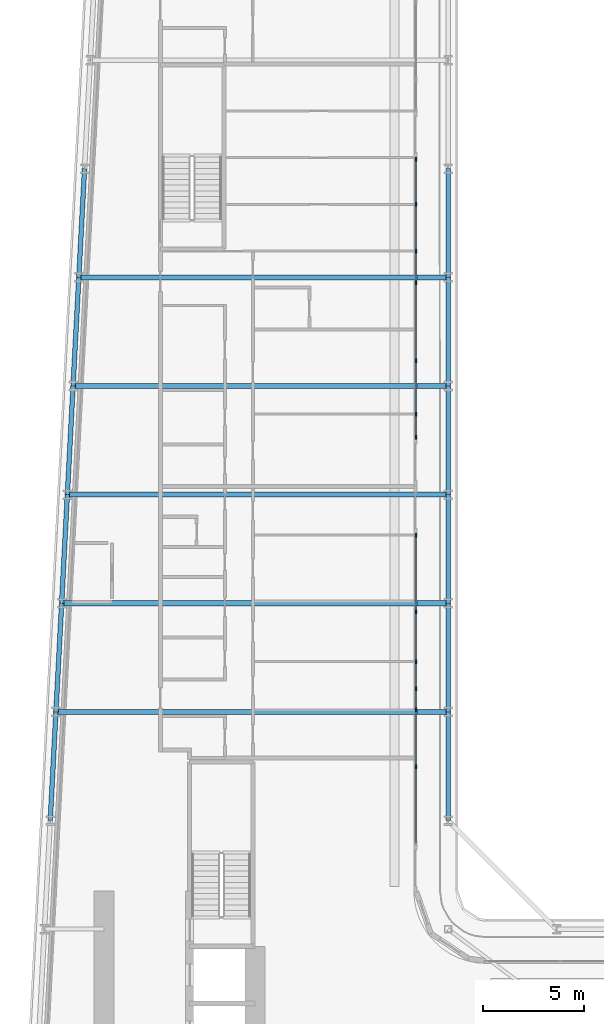
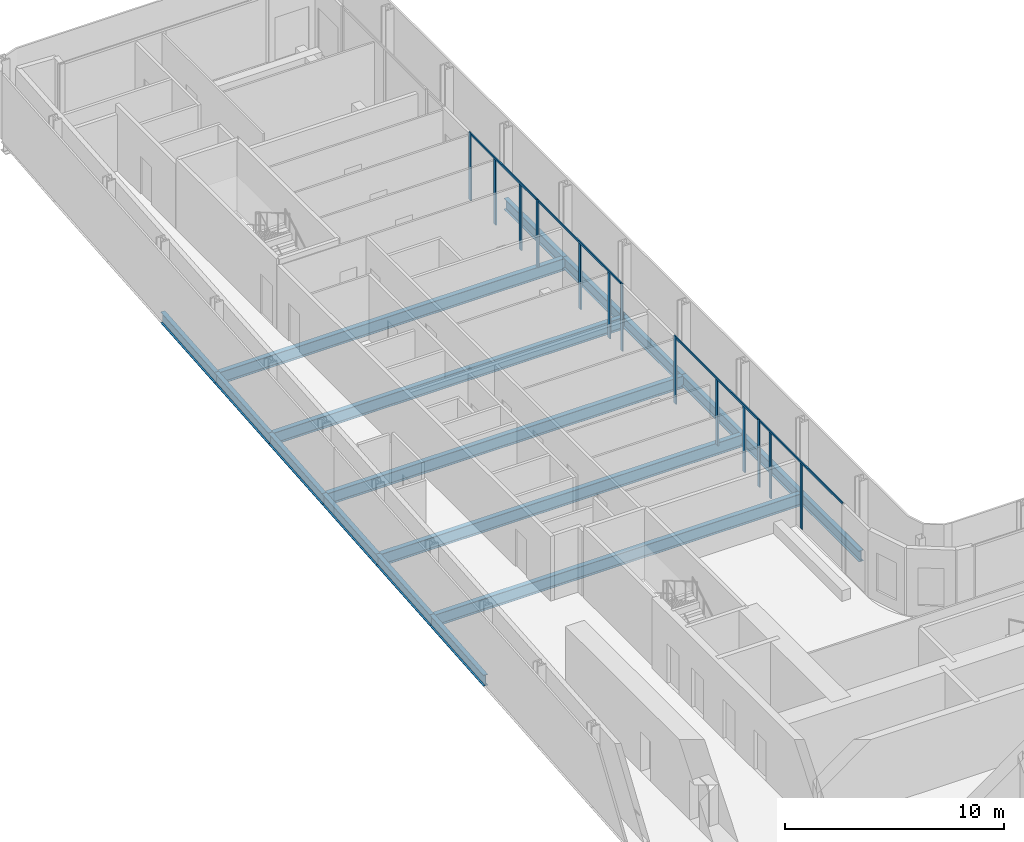
# One storey, part 7 of 25: 17 beams, 17 members, 4 elements without a shape of their own.
"""IFC4 building model written with IfcOpenShell, lengths in metres."""

from ifc_helpers import new_model, si_unit, direction, frame, origin, origin_2d, place, context, subcontext, project, spatial, rectangle, i_section, extrude, material, layer, layer_set, material_profile, profile_set, type_object, element, aggregate, save


model = new_model("IFC4")

# Units and contexts
model_context = context("Model", 3, precision=1e-05, world=origin(), true_north=direction((0.0, 1.0)))
body_context = subcontext(model_context, "Body", "Model", "MODEL_VIEW")
ifc_project = project(units=[si_unit("LENGTHUNIT", "METRE"), si_unit("AREAUNIT", "SQUARE_METRE"), si_unit("VOLUMEUNIT", "CUBIC_METRE"), si_unit("PLANEANGLEUNIT", "RADIAN"), si_unit("MASSUNIT", "GRAM", prefix="KILO")], contexts=[model_context])

# Site, building, storey
site_placement = place(None, origin())
site = spatial("IfcSite", under=ifc_project, at=site_placement, CompositionType="ELEMENT")
building_placement = place(site_placement, origin())
building = spatial("IfcBuilding", under=site, at=building_placement, Name="Kheshtan School and Residences Tower", CompositionType="ELEMENT")
storey_placement = place(building_placement, frame((0.0, 0.0, 34.39990234375)))
storey = spatial("IfcBuildingStorey", under=building, at=storey_placement, Name="L07", CompositionType="ELEMENT", Elevation=34.39990234375)

# Beams
ifc_material_1 = material(Name="Steel ASTM A992 Grade 50", Category="steel")
ifc_material_profile_1 = material_profile(ifc_material_1, i_section(OverallWidth=0.2529296875, OverallDepth=0.677978515625, WebThickness=0.01171875, FlangeThickness=0.016357421875, FilletRadius=0.0146484375, at=origin_2d()), Name="W690x125")
ifc_profile_set_1 = profile_set([ifc_material_profile_1], Name="Steel ASTM A992 Grade 50")
beam_type_1 = type_object("IfcBeamType", Name="Beam FB6 W690x125 ASTM A992 Grade 50", PredefinedType="BEAM", material=ifc_profile_set_1)
beam_1_placement = place(storey_placement, frame((47.60009765625, 72.60009765625, -0.489013671875), z_axis=(-1.0, 0.0, 0.0), x_axis=(0.0, -1.0, 0.0)))
element("IfcBeam", 1, at=beam_1_placement, inside=storey, type_object=beam_type_1, Name="Floor beam C087", PredefinedType="BEAM", context=body_context, shape_type="SweptSolid", body=[
    extrude(i_section(OverallWidth=0.2529296875, OverallDepth=0.677978515625, WebThickness=0.01171875, FlangeThickness=0.016357421875, FilletRadius=0.0146484375, at=origin_2d()), origin(), (0.0, 0.0, 1.0), 18.64208984375),
])
beam_2_placement = place(storey_placement, frame((47.60009765625, 61.800048828125, -0.489013671875), z_axis=(-1.0, 0.0, 0.0), x_axis=(0.0, -1.0, 0.0)))
element("IfcBeam", 2, at=beam_2_placement, inside=storey, type_object=beam_type_1, Name="Floor beam C083", PredefinedType="BEAM", context=body_context, shape_type="SweptSolid", body=[
    extrude(i_section(OverallWidth=0.2529296875, OverallDepth=0.677978515625, WebThickness=0.01171875, FlangeThickness=0.016357421875, FilletRadius=0.0146484375, at=origin_2d()), origin(), (0.0, 0.0, 1.0), 19.210205078125),
])
beam_3_placement = place(storey_placement, frame((28.10595703125, 56.39990234375, -0.489013671875), z_axis=(1.0, 0.0, 0.0), x_axis=(0.0, 1.0, 0.0)))
element("IfcBeam", 3, at=beam_3_placement, inside=storey, type_object=beam_type_1, Name="Floor beam C080", PredefinedType="BEAM", context=body_context, shape_type="SweptSolid", body=[
    extrude(i_section(OverallWidth=0.2529296875, OverallDepth=0.677978515625, WebThickness=0.01171875, FlangeThickness=0.016357421875, FilletRadius=0.0146484375, at=origin_2d()), origin(), (0.0, 0.0, 1.0), 19.494140625),
])
beam_4_placement = place(storey_placement, frame((28.674072265625, 67.199951171875, -0.489013671875), z_axis=(1.0, 0.0, 0.0), x_axis=(0.0, 1.0, 0.0)))
element("IfcBeam", 4, at=beam_4_placement, inside=storey, type_object=beam_type_1, Name="Floor beam C084", PredefinedType="BEAM", context=body_context, shape_type="SweptSolid", body=[
    extrude(i_section(OverallWidth=0.2529296875, OverallDepth=0.677978515625, WebThickness=0.01171875, FlangeThickness=0.016357421875, FilletRadius=0.0146484375, at=origin_2d()), origin(), (0.0, 0.0, 1.0), 18.926025390625),
])
beam_5_placement = place(storey_placement, frame((29.242919921875, 78.0, -0.489013671875), z_axis=(1.0, 0.0, 0.0), x_axis=(0.0, 1.0, 0.0)))
element("IfcBeam", 5, at=beam_5_placement, inside=storey, type_object=beam_type_1, Name="Floor beam C088", PredefinedType="BEAM", context=body_context, shape_type="SweptSolid", body=[
    extrude(i_section(OverallWidth=0.2529296875, OverallDepth=0.677978515625, WebThickness=0.01171875, FlangeThickness=0.016357421875, FilletRadius=0.0146484375, at=origin_2d()), origin(), (0.0, 0.0, 1.0), 18.357177734375),
])
ifc_material_profile_2 = material_profile(ifc_material_1, i_section(OverallWidth=0.22998046875, OverallDepth=0.616943359375, WebThickness=0.01318359375, FlangeThickness=0.022216796875, FilletRadius=0.0185546875, at=origin_2d()), Name="W610x140")
ifc_profile_set_2 = profile_set([ifc_material_profile_2], Name="Steel ASTM A992 Grade 50")
beam_type_2 = type_object("IfcBeamType", Name="Beam SP1 W610x140 ASTM A992 Grade 50", PredefinedType="BEAM", material=ifc_profile_set_2)
for number, where, z_axis, x_axis, name in (
    (6, (47.60009765625, 83.39990234375, -0.45849609375), (0.0, -1.0, 0.0), (1.0, 0.0, 0.0), "Spandrel beam C091-C089"),
    (7, (47.60009765625, 78.0, -0.45849609375), (0.0, -1.0, 0.0), (1.0, 0.0, 0.0), "Spandrel beam C089-C087"),
):
    element("IfcBeam", number, at=place(storey_placement, frame(where, z_axis=z_axis, x_axis=x_axis)), inside=storey, type_object=beam_type_2, Name=name, PredefinedType="BEAM", context=body_context, shape_type="SweptSolid", body=[
        extrude(i_section(OverallWidth=0.22998046875, OverallDepth=0.616943359375, WebThickness=0.01318359375, FlangeThickness=0.022216796875, FilletRadius=0.0185546875, at=origin_2d()), origin(), (0.0, 0.0, 1.0), 5.39990234375),
    ])
beam_6_placement = place(storey_placement, frame((47.60009765625, 72.60009765625, -0.45849609375), z_axis=(0.0, -1.0, 0.0), x_axis=(1.0, 0.0, 0.0)))
element("IfcBeam", 8, at=beam_6_placement, inside=storey, type_object=beam_type_2, Name="Spandrel beam C087-C085", PredefinedType="BEAM", context=body_context, shape_type="SweptSolid", body=[
    extrude(i_section(OverallWidth=0.22998046875, OverallDepth=0.616943359375, WebThickness=0.01318359375, FlangeThickness=0.022216796875, FilletRadius=0.0185546875, at=origin_2d()), origin(), (0.0, 0.0, 1.0), 5.400146484375),
])
beam_7_placement = place(storey_placement, frame((47.60009765625, 67.199951171875, -0.45849609375), z_axis=(0.0, -1.0, 0.0), x_axis=(1.0, 0.0, 0.0)))
element("IfcBeam", 9, at=beam_7_placement, inside=storey, type_object=beam_type_2, Name="Spandrel beam C085-C083", PredefinedType="BEAM", context=body_context, shape_type="SweptSolid", body=[
    extrude(i_section(OverallWidth=0.22998046875, OverallDepth=0.616943359375, WebThickness=0.01318359375, FlangeThickness=0.022216796875, FilletRadius=0.0185546875, at=origin_2d()), origin(), (0.0, 0.0, 1.0), 5.39990234375),
])
beam_8_placement = place(storey_placement, frame((47.60009765625, 61.800048828125, -0.45849609375), z_axis=(0.0, -1.0, 0.0), x_axis=(1.0, 0.0, 0.0)))
element("IfcBeam", 10, at=beam_8_placement, inside=storey, type_object=beam_type_2, Name="Spandrel beam C083-C081", PredefinedType="BEAM", context=body_context, shape_type="SweptSolid", body=[
    extrude(i_section(OverallWidth=0.22998046875, OverallDepth=0.616943359375, WebThickness=0.01318359375, FlangeThickness=0.022216796875, FilletRadius=0.0185546875, at=origin_2d()), origin(), (0.0, 0.0, 1.0), 5.400146484375),
])
beam_9_placement = place(storey_placement, frame((47.60009765625, 56.39990234375, -0.45849609375), z_axis=(0.0, -1.0, 0.0), x_axis=(1.0, 0.0, 0.0)))
element("IfcBeam", 11, at=beam_9_placement, inside=storey, type_object=beam_type_2, Name="Spandrel beam C081-C079", PredefinedType="BEAM", context=body_context, shape_type="SweptSolid", body=[
    extrude(i_section(OverallWidth=0.22998046875, OverallDepth=0.616943359375, WebThickness=0.01318359375, FlangeThickness=0.022216796875, FilletRadius=0.0185546875, at=origin_2d()), origin(), (0.0, 0.0, 1.0), 5.39990234375),
])
beam_10_placement = place(storey_placement, frame((27.822021484375, 51.0, -0.45849609375), z_axis=(0.05250906864, 0.998620447272, 0.0), x_axis=(-0.998620447272, 0.05250906864, 0.0)))
element("IfcBeam", 12, at=beam_10_placement, inside=storey, type_object=beam_type_2, Name="Spandrel beam C078-C080", PredefinedType="BEAM", context=body_context, shape_type="SweptSolid", body=[
    extrude(i_section(OverallWidth=0.22998046875, OverallDepth=0.616943359375, WebThickness=0.01318359375, FlangeThickness=0.022216796875, FilletRadius=0.0185546875, at=origin_2d()), origin(), (0.0, 0.0, 1.0), 5.407470703125),
])
beam_11_placement = place(storey_placement, frame((28.10595703125, 56.39990234375, -0.45849609375), z_axis=(0.05250670125, 0.998620571751, 0.0), x_axis=(-0.998620571751, 0.05250670125, 0.0)))
element("IfcBeam", 13, at=beam_11_placement, inside=storey, type_object=beam_type_2, Name="Spandrel beam C080-C082", PredefinedType="BEAM", context=body_context, shape_type="SweptSolid", body=[
    extrude(i_section(OverallWidth=0.22998046875, OverallDepth=0.616943359375, WebThickness=0.01318359375, FlangeThickness=0.022216796875, FilletRadius=0.0185546875, at=origin_2d()), origin(), (0.0, 0.0, 1.0), 5.40771484375),
])
beam_12_placement = place(storey_placement, frame((28.389892578125, 61.800048828125, -0.45849609375), z_axis=(0.052554093665, 0.998618078766, 0.0), x_axis=(-0.998618078766, 0.052554093665, 0.0)))
element("IfcBeam", 14, at=beam_12_placement, inside=storey, type_object=beam_type_2, Name="Spandrel beam C082-C084", PredefinedType="BEAM", context=body_context, shape_type="SweptSolid", body=[
    extrude(i_section(OverallWidth=0.22998046875, OverallDepth=0.616943359375, WebThickness=0.01318359375, FlangeThickness=0.022216796875, FilletRadius=0.0185546875, at=origin_2d()), origin(), (0.0, 0.0, 1.0), 5.407470703125),
])
beam_13_placement = place(storey_placement, frame((28.674072265625, 67.199951171875, -0.45849609375), z_axis=(0.05250670125, 0.998620571751, 0.0), x_axis=(-0.998620571751, 0.05250670125, 0.0)))
element("IfcBeam", 15, at=beam_13_placement, inside=storey, type_object=beam_type_2, Name="Spandrel beam C084-C086", PredefinedType="BEAM", context=body_context, shape_type="SweptSolid", body=[
    extrude(i_section(OverallWidth=0.22998046875, OverallDepth=0.616943359375, WebThickness=0.01318359375, FlangeThickness=0.022216796875, FilletRadius=0.0185546875, at=origin_2d()), origin(), (0.0, 0.0, 1.0), 5.40771484375),
])
for number, where, z_axis, x_axis, name in (
    (16, (28.9580078125, 72.60009765625, -0.45849609375), (0.052689166816, 0.998610961136, 0.0), (-0.998610961136, 0.052689166816, 0.0), "Spandrel beam C086-C088"),
    (17, (29.242919921875, 78.0, -0.45849609375), (0.052554093665, 0.998618078766, 0.0), (-0.998618078766, 0.052554093665, 0.0), "Spandrel beam C088-C090"),
):
    element("IfcBeam", number, at=place(storey_placement, frame(where, z_axis=z_axis, x_axis=x_axis)), inside=storey, type_object=beam_type_2, Name=name, PredefinedType="BEAM", context=body_context, shape_type="SweptSolid", body=[
        extrude(i_section(OverallWidth=0.22998046875, OverallDepth=0.616943359375, WebThickness=0.01318359375, FlangeThickness=0.022216796875, FilletRadius=0.0185546875, at=origin_2d()), origin(), (0.0, 0.0, 1.0), 5.407470703125),
    ])

# Curtain wall, members
ifc_material_2 = material(Name="Clear low-e glass in thermally broken aluminium frame", Category="aluminium")
ifc_layer = layer(ifc_material_2, 0.199951171875)
ifc_layer_set = layer_set([ifc_layer], Name="Curtain wall CW-L")
curtain_wall_type = type_object("IfcCurtainWallType", Name="Curtain wall CW-L", PredefinedType="NOTDEFINED", material=ifc_layer_set)
curtain_wall_1_placement = place(storey_placement, origin())
curtain_wall_1 = element("IfcCurtainWall", 18, at=curtain_wall_1_placement, inside=storey, type_object=curtain_wall_type, Name="Curtain wall CWL8b", PredefinedType="NOTDEFINED")
ifc_material_3 = material(Name="Thermally broken aluminium, dark bronze anodised", Category="aluminium")
ifc_material_profile_3 = material_profile(ifc_material_3, rectangle(XDim=0.06005859375, YDim=0.199951171875, at=origin_2d()), Name="CW-L mullion 60x200")
ifc_profile_set_3 = profile_set([ifc_material_profile_3], Name="Thermally broken aluminium, dark bronze anodised")
member_type_1 = type_object("IfcMemberType", Name="CW-L mullion 60x200", PredefinedType="MULLION", material=ifc_profile_set_3)
member_1_placement = place(storey_placement, frame((46.0, 83.8759765625, 0.0), z_axis=(0.0, 0.0, 1.0), x_axis=(1.0, 0.0, 0.0)))
member_1 = element("IfcMember", 19, at=member_1_placement, type_object=member_type_1, Name="CWL8b mullion 1", PredefinedType="MULLION", context=body_context, shape_type="SweptSolid", body=[
    extrude(rectangle(XDim=0.06005859375, YDim=0.199951171875, at=origin_2d()), origin(), (0.0, 0.0, 1.0), 3.75),
])
member_2_placement = place(storey_placement, frame((46.0, 81.625, 0.0), z_axis=(0.0, 0.0, 1.0), x_axis=(1.0, 0.0, 0.0)))
member_2 = element("IfcMember", 20, at=member_2_placement, type_object=member_type_1, Name="CWL8b mullion 2", PredefinedType="MULLION", context=body_context, shape_type="SweptSolid", body=[
    extrude(rectangle(XDim=0.06005859375, YDim=0.199951171875, at=origin_2d()), origin(), (0.0, 0.0, 1.0), 3.630126953125),
])
member_3_placement = place(storey_placement, frame((46.0, 79.300048828125, 0.0), z_axis=(0.0, 0.0, 1.0), x_axis=(1.0, 0.0, 0.0)))
member_3 = element("IfcMember", 21, at=member_3_placement, type_object=member_type_1, Name="CWL8b mullion 3", PredefinedType="MULLION", context=body_context, shape_type="SweptSolid", body=[
    extrude(rectangle(XDim=0.06005859375, YDim=0.199951171875, at=origin_2d()), origin(), (0.0, 0.0, 1.0), 3.630126953125),
])
member_4_placement = place(storey_placement, frame((46.0, 77.741943359375, 0.0), z_axis=(0.0, 0.0, 1.0), x_axis=(1.0, 0.0, 0.0)))
member_4 = element("IfcMember", 22, at=member_4_placement, type_object=member_type_1, Name="CWL8b mullion 4", PredefinedType="MULLION", context=body_context, shape_type="SweptSolid", body=[
    extrude(rectangle(XDim=0.06005859375, YDim=0.199951171875, at=origin_2d()), origin(), (0.0, 0.0, 1.0), 3.75),
])

curtain_wall_2_placement = place(storey_placement, origin())
curtain_wall_2 = element("IfcCurtainWall", 23, at=curtain_wall_2_placement, inside=storey, type_object=curtain_wall_type, Name="Curtain wall CWL8c", PredefinedType="NOTDEFINED")
member_5_placement = place(storey_placement, frame((46.0, 73.864990234375, 0.0), z_axis=(0.0, 0.0, 1.0), x_axis=(1.0, 0.0, 0.0)))
member_5 = element("IfcMember", 24, at=member_5_placement, type_object=member_type_1, Name="CWL8c mullion 2", PredefinedType="MULLION", context=body_context, shape_type="SweptSolid", body=[
    extrude(rectangle(XDim=0.06005859375, YDim=0.199951171875, at=origin_2d()), origin(), (0.0, 0.0, 1.0), 3.630126953125),
])
member_6_placement = place(storey_placement, frame((46.0, 71.199951171875, 0.0), z_axis=(0.0, 0.0, 1.0), x_axis=(1.0, 0.0, 0.0)))
member_6 = element("IfcMember", 25, at=member_6_placement, type_object=member_type_1, Name="CWL8c mullion 3", PredefinedType="MULLION", context=body_context, shape_type="SweptSolid", body=[
    extrude(rectangle(XDim=0.06005859375, YDim=0.199951171875, at=origin_2d()), origin(), (0.0, 0.0, 1.0), 3.630126953125),
])
member_7_placement = place(storey_placement, frame((46.0, 70.048095703125, 0.0), z_axis=(0.0, 0.0, 1.0), x_axis=(1.0, 0.0, 0.0)))
member_7 = element("IfcMember", 26, at=member_7_placement, type_object=member_type_1, Name="CWL8c mullion 4", PredefinedType="MULLION", context=body_context, shape_type="SweptSolid", body=[
    extrude(rectangle(XDim=0.06005859375, YDim=0.199951171875, at=origin_2d()), origin(), (0.0, 0.0, 1.0), 3.75),
])

curtain_wall_3_placement = place(storey_placement, origin())
curtain_wall_3 = element("IfcCurtainWall", 27, at=curtain_wall_3_placement, inside=storey, type_object=curtain_wall_type, Name="Curtain wall CWL8c", PredefinedType="NOTDEFINED")
member_8_placement = place(storey_placement, frame((46.0, 65.18798828125, 0.0), z_axis=(0.0, 0.0, 1.0), x_axis=(1.0, 0.0, 0.0)))
member_8 = element("IfcMember", 28, at=member_8_placement, type_object=member_type_1, Name="CWL8c mullion 1", PredefinedType="MULLION", context=body_context, shape_type="SweptSolid", body=[
    extrude(rectangle(XDim=0.06005859375, YDim=0.199951171875, at=origin_2d()), origin(), (0.0, 0.0, 1.0), 3.75),
])
member_9_placement = place(storey_placement, frame((46.0, 61.37109375, 0.0), z_axis=(0.0, 0.0, 1.0), x_axis=(1.0, 0.0, 0.0)))
member_9 = element("IfcMember", 29, at=member_9_placement, type_object=member_type_1, Name="CWL8c mullion 2", PredefinedType="MULLION", context=body_context, shape_type="SweptSolid", body=[
    extrude(rectangle(XDim=0.06005859375, YDim=0.199951171875, at=origin_2d()), origin(), (0.0, 0.0, 1.0), 3.630126953125),
])
member_10_placement = place(storey_placement, frame((46.0, 58.89990234375, 0.0), z_axis=(0.0, 0.0, 1.0), x_axis=(1.0, 0.0, 0.0)))
member_10 = element("IfcMember", 30, at=member_10_placement, type_object=member_type_1, Name="CWL8c mullion 3", PredefinedType="MULLION", context=body_context, shape_type="SweptSolid", body=[
    extrude(rectangle(XDim=0.06005859375, YDim=0.199951171875, at=origin_2d()), origin(), (0.0, 0.0, 1.0), 3.630126953125),
])
member_11_placement = place(storey_placement, frame((46.0, 57.553955078125, 0.0), z_axis=(0.0, 0.0, 1.0), x_axis=(1.0, 0.0, 0.0)))
member_11 = element("IfcMember", 31, at=member_11_placement, type_object=member_type_1, Name="CWL8c mullion 4", PredefinedType="MULLION", context=body_context, shape_type="SweptSolid", body=[
    extrude(rectangle(XDim=0.06005859375, YDim=0.199951171875, at=origin_2d()), origin(), (0.0, 0.0, 1.0), 3.75),
])

curtain_wall_4_placement = place(storey_placement, origin())
curtain_wall_4 = element("IfcCurtainWall", 32, at=curtain_wall_4_placement, inside=storey, type_object=curtain_wall_type, Name="Curtain wall CWL8c", PredefinedType="NOTDEFINED")
member_12_placement = place(storey_placement, frame((46.0, 56.5, 0.0), z_axis=(0.0, 0.0, 1.0), x_axis=(1.0, 0.0, 0.0)))
member_12 = element("IfcMember", 33, at=member_12_placement, type_object=member_type_1, Name="CWL8c mullion 2", PredefinedType="MULLION", context=body_context, shape_type="SweptSolid", body=[
    extrude(rectangle(XDim=0.06005859375, YDim=0.199951171875, at=origin_2d()), origin(), (0.0, 0.0, 1.0), 3.630126953125),
])
member_13_placement = place(storey_placement, frame((46.0, 53.677001953125, 0.0), z_axis=(0.0, 0.0, 1.0), x_axis=(1.0, 0.0, 0.0)))
member_13 = element("IfcMember", 34, at=member_13_placement, type_object=member_type_1, Name="CWL8c mullion 3", PredefinedType="MULLION", context=body_context, shape_type="SweptSolid", body=[
    extrude(rectangle(XDim=0.06005859375, YDim=0.199951171875, at=origin_2d()), origin(), (0.0, 0.0, 1.0), 3.630126953125),
])

# Member
ifc_material_profile_4 = material_profile(ifc_material_3, rectangle(XDim=0.06005859375, YDim=0.1201171875, at=origin_2d()), Name="CW-L transom 60x120")
ifc_profile_set_4 = profile_set([ifc_material_profile_4], Name="Thermally broken aluminium, dark bronze anodised")
member_type_2 = type_object("IfcMemberType", Name="CW-L transom 60x120", PredefinedType="USERDEFINED", material=ifc_profile_set_4)
member_14_placement = place(storey_placement, frame((46.0, 83.845947265625, 3.690185546875), z_axis=(0.0, -1.0, 0.0), x_axis=(1.0, 0.0, 0.0)))
member_14 = element("IfcMember", 35, at=member_14_placement, type_object=member_type_2, Name="CWL8b transom 1", ObjectType="TRANSOM", PredefinedType="USERDEFINED", context=body_context, shape_type="SweptSolid", body=[
    extrude(rectangle(XDim=0.06005859375, YDim=0.1201171875, at=origin_2d()), origin(), (0.0, 0.0, 1.0), 6.073974609375),
])

aggregate(curtain_wall_1, [member_1, member_2, member_3, member_4, member_14])

member_15_placement = place(storey_placement, frame((46.0, 77.7119140625, 3.690185546875), z_axis=(0.0, -1.0, 0.0), x_axis=(1.0, 0.0, 0.0)))
member_15 = element("IfcMember", 36, at=member_15_placement, type_object=member_type_2, Name="CWL8c transom 1", ObjectType="TRANSOM", PredefinedType="USERDEFINED", context=body_context, shape_type="SweptSolid", body=[
    extrude(rectangle(XDim=0.06005859375, YDim=0.1201171875, at=origin_2d()), origin(), (0.0, 0.0, 1.0), 7.634033203125),
])

aggregate(curtain_wall_2, [member_5, member_6, member_7, member_15])

member_16_placement = place(storey_placement, frame((46.0, 65.157958984375, 3.690185546875), z_axis=(0.0, -1.0, 0.0), x_axis=(1.0, 0.0, 0.0)))
member_16 = element("IfcMember", 37, at=member_16_placement, type_object=member_type_2, Name="CWL8c transom 1", ObjectType="TRANSOM", PredefinedType="USERDEFINED", context=body_context, shape_type="SweptSolid", body=[
    extrude(rectangle(XDim=0.06005859375, YDim=0.1201171875, at=origin_2d()), origin(), (0.0, 0.0, 1.0), 7.573974609375),
])

aggregate(curtain_wall_3, [member_8, member_9, member_10, member_11, member_16])

member_17_placement = place(storey_placement, frame((46.0, 57.52392578125, 3.690185546875), z_axis=(0.0, -1.0, 0.0), x_axis=(1.0, 0.0, 0.0)))
member_17 = element("IfcMember", 38, at=member_17_placement, type_object=member_type_2, Name="CWL8c transom 1", ObjectType="TRANSOM", PredefinedType="USERDEFINED", context=body_context, shape_type="SweptSolid", body=[
    extrude(rectangle(XDim=0.06005859375, YDim=0.1201171875, at=origin_2d()), origin(), (0.0, 0.0, 1.0), 7.634033203125),
])

aggregate(curtain_wall_4, [member_12, member_13, member_17])

save(model, "model.ifc")
